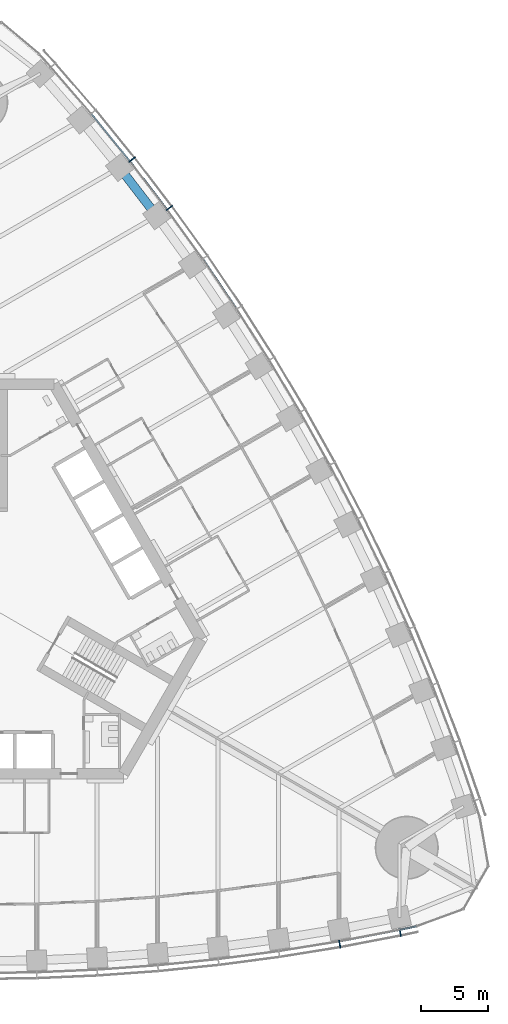
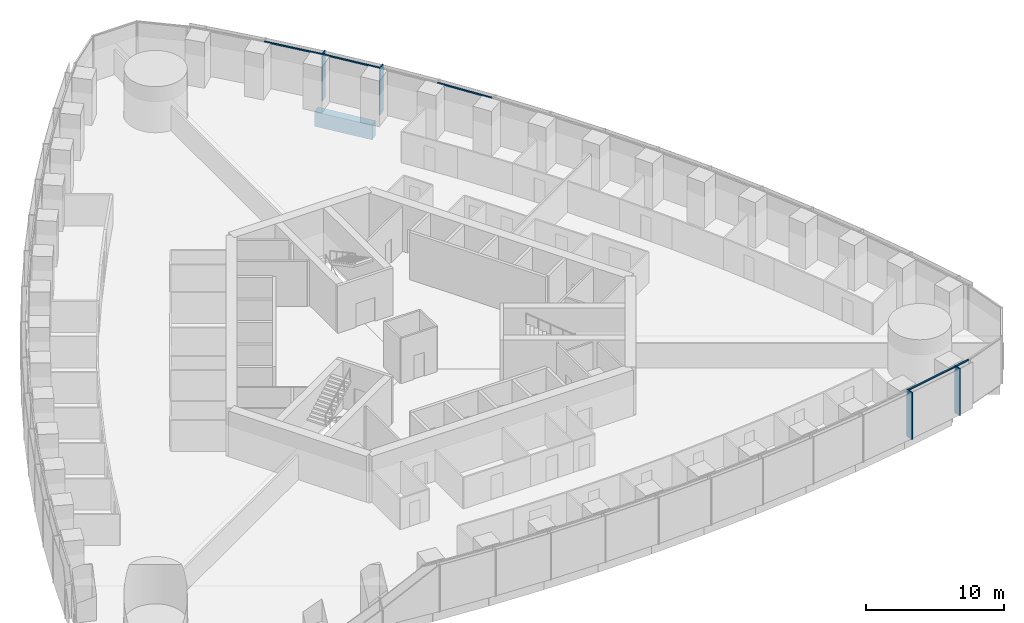
# One storey, part 5 of 19: 9 members, 1 beam, 2 elements without a shape of their own.
"""IFC4 building model written with IfcOpenShell, lengths in metres."""

from ifc_helpers import new_model, si_unit, direction, frame, origin, origin_2d, place, context, subcontext, project, spatial, rectangle, extrude, material, material_profile, profile_set, type_object, element, aggregate, save


model = new_model("IFC4")

# Units and contexts
model_context = context("Model", 3, precision=1e-05, world=origin(), true_north=direction((0.0, 1.0)))
body_context = subcontext(model_context, "Body", "Model", "MODEL_VIEW")
ifc_project = project(units=[si_unit("LENGTHUNIT", "METRE"), si_unit("AREAUNIT", "SQUARE_METRE"), si_unit("VOLUMEUNIT", "CUBIC_METRE"), si_unit("PLANEANGLEUNIT", "RADIAN"), si_unit("MASSUNIT", "GRAM", prefix="KILO")], contexts=[model_context])

# Site, building, storey
site_placement = place(None, origin())
site = spatial("IfcSite", under=ifc_project, at=site_placement, CompositionType="ELEMENT")
building_placement = place(site_placement, origin())
building = spatial("IfcBuilding", under=site, at=building_placement, Name="Trefoil Bronze Tower", CompositionType="ELEMENT")
storey_placement = place(building_placement, frame((0.0, 0.0, 20.699951171875)))
storey = spatial("IfcBuildingStorey", under=building, at=storey_placement, Name="L04", CompositionType="ELEMENT", Elevation=20.699951171875)

# Curtain wall, members
ifc_material_1 = material(Name="Tinted solar-control glass", Category="glass")
curtain_wall_type = type_object("IfcCurtainWallType", Name="Bronze office curtain wall", PredefinedType="USERDEFINED", material=ifc_material_1)
curtain_wall_1_placement = place(storey_placement, origin())
curtain_wall_1 = element("IfcCurtainWall", 1, at=curtain_wall_1_placement, inside=storey, type_object=curtain_wall_type, Name="CW-A L04 F1", ObjectType="CURTAIN WALL", PredefinedType="USERDEFINED")
ifc_material_2 = material(Name="Bronze-finish aluminium", Category="aluminium")
ifc_material_profile_1 = material_profile(ifc_material_2, rectangle(XDim=0.60009765625, YDim=0.080078125, at=origin_2d()), Name="CW-A mullion")
ifc_profile_set_1 = profile_set([ifc_material_profile_1], Name="Bronze-finish aluminium")
member_type_1 = type_object("IfcMemberType", Name="Bronze office curtain wall mullion", PredefinedType="MULLION", material=ifc_profile_set_1)
member_1_placement = place(storey_placement, frame((27.05224609375, -25.67578125, 0.0), z_axis=(0.0, 0.0, 1.0), x_axis=(-0.174131146426, 0.984722470468, 0.0)))
member_1 = element("IfcMember", 2, at=member_1_placement, type_object=member_type_1, Name="CW-A L04 F1 mullion 15", PredefinedType="MULLION", context=body_context, shape_type="SweptSolid", body=[
    extrude(rectangle(XDim=0.60009765625, YDim=0.080078125, at=origin_2d()), origin(), (0.0, 0.0, 1.0), 4.179931640625),
])
member_2_placement = place(storey_placement, frame((31.559326171875, -24.81005859375, 0.0), z_axis=(0.0, 0.0, 1.0), x_axis=(-0.197910006829, 0.98022019424, 0.0)))
member_2 = element("IfcMember", 3, at=member_2_placement, type_object=member_type_1, Name="CW-A L04 F1 mullion 16", PredefinedType="MULLION", context=body_context, shape_type="SweptSolid", body=[
    extrude(rectangle(XDim=0.60009765625, YDim=0.080078125, at=origin_2d()), origin(), (0.0, 0.0, 1.0), 4.179931640625),
])

curtain_wall_2_placement = place(storey_placement, origin())
curtain_wall_2 = element("IfcCurtainWall", 4, at=curtain_wall_2_placement, inside=storey, type_object=curtain_wall_type, Name="CW-A L04 F2", ObjectType="CURTAIN WALL", PredefinedType="USERDEFINED")
member_3_placement = place(storey_placement, frame((14.364013671875, 29.117919921875, 0.0), z_axis=(0.0, 0.0, 1.0), x_axis=(-0.802126748469, -0.59715381552, 0.0)))
member_3 = element("IfcMember", 5, at=member_3_placement, type_object=member_type_1, Name="CW-A L04 F2 mullion 13", PredefinedType="MULLION", context=body_context, shape_type="SweptSolid", body=[
    extrude(rectangle(XDim=0.60009765625, YDim=0.080078125, at=origin_2d()), origin(), (0.0, 0.0, 1.0), 4.179931640625),
])
member_4_placement = place(storey_placement, frame((11.595458984375, 32.7255859375, 0.0), z_axis=(0.0, 0.0, 1.0), x_axis=(-0.784304615744, -0.620375910011, 0.0)))
member_4 = element("IfcMember", 6, at=member_4_placement, type_object=member_type_1, Name="CW-A L04 F2 mullion 14", PredefinedType="MULLION", context=body_context, shape_type="SweptSolid", body=[
    extrude(rectangle(XDim=0.60009765625, YDim=0.080078125, at=origin_2d()), origin(), (0.0, 0.0, 1.0), 4.179931640625),
])

# Member
ifc_material_3 = material(Name="Bronze-finish aluminium", Category="aluminium")
ifc_material_profile_2 = material_profile(ifc_material_3, rectangle(XDim=0.1201171875, YDim=0.10009765625, at=origin_2d()), Name="CW-A transom")
ifc_profile_set_2 = profile_set([ifc_material_profile_2], Name="Bronze-finish aluminium")
member_type_2 = type_object("IfcMemberType", Name="Bronze office curtain wall transom", PredefinedType="USERDEFINED", material=ifc_profile_set_2)
member_5_placement = place(storey_placement, frame((27.05810546875, -25.470947265625, 4.130126953125), z_axis=(0.982053603997, 0.188602011855, 0.0), x_axis=(-0.188602011855, 0.982053603997, 0.0)))
member_5 = element("IfcMember", 7, at=member_5_placement, type_object=member_type_2, Name="CW-A L04 F1 transom 15", ObjectType="TRANSOM", PredefinedType="USERDEFINED", context=body_context, shape_type="SweptSolid", body=[
    extrude(rectangle(XDim=0.1201171875, YDim=0.10009765625, at=origin_2d()), origin(), (0.0, 0.0, 1.0), 4.502197265625),
])

member_6_placement = place(storey_placement, frame((31.559814453125, -24.605712890625, 4.130126953125), z_axis=(0.978266371807, 0.207352129942, 0.0), x_axis=(-0.207352129942, 0.978266371807, 0.0)))
member_6 = element("IfcMember", 8, at=member_6_placement, type_object=member_type_2, Name="CW-A L04 F1 transom 16", ObjectType="TRANSOM", PredefinedType="USERDEFINED", context=body_context, shape_type="SweptSolid", body=[
    extrude(rectangle(XDim=0.1201171875, YDim=0.10009765625, at=origin_2d()), origin(), (0.0, 0.0, 1.0), 1.21044921875),
])

aggregate(curtain_wall_1, [member_1, member_2, member_5, member_6])

member_7_placement = place(storey_placement, frame((19.364990234375, 21.627197265625, 4.130126953125), z_axis=(-0.561508153923, 0.827471203775, 0.0), x_axis=(-0.827471203775, -0.561508153923, 0.0)))
member_7 = element("IfcMember", 9, at=member_7_placement, type_object=member_type_2, Name="CW-A L04 F2 transom 11", ObjectType="TRANSOM", PredefinedType="USERDEFINED", context=body_context, shape_type="SweptSolid", body=[
    extrude(rectangle(XDim=0.1201171875, YDim=0.10009765625, at=origin_2d()), origin(), (0.0, 0.0, 1.0), 4.431884765625),
])

member_8_placement = place(storey_placement, frame((14.178466796875, 29.031494140625, 4.130126953125), z_axis=(-0.608829203216, 0.793301330713, 0.0), x_axis=(-0.793301330713, -0.608829203216, 0.0)))
member_8 = element("IfcMember", 10, at=member_8_placement, type_object=member_type_2, Name="CW-A L04 F2 transom 13", ObjectType="TRANSOM", PredefinedType="USERDEFINED", context=body_context, shape_type="SweptSolid", body=[
    extrude(rectangle(XDim=0.1201171875, YDim=0.10009765625, at=origin_2d()), origin(), (0.0, 0.0, 1.0), 4.458740234375),
])

member_9_placement = place(storey_placement, frame((11.412353515625, 32.6337890625, 4.130126953125), z_axis=(-0.631835540201, 0.775102477185, 0.0), x_axis=(-0.775102477185, -0.631835540201, 0.0)))
member_9 = element("IfcMember", 11, at=member_9_placement, type_object=member_type_2, Name="CW-A L04 F2 transom 14", ObjectType="TRANSOM", PredefinedType="USERDEFINED", context=body_context, shape_type="SweptSolid", body=[
    extrude(rectangle(XDim=0.1201171875, YDim=0.10009765625, at=origin_2d()), origin(), (0.0, 0.0, 1.0), 4.478271484375),
])

aggregate(curtain_wall_2, [member_3, member_4, member_7, member_8, member_9])

# Beam
ifc_material_4 = material(Name="Concrete B80", Category="concrete")
ifc_material_profile_3 = material_profile(ifc_material_4, rectangle(XDim=0.64990234375, YDim=1.300048828125, at=origin_2d()), Name="RC 650x1300")
ifc_profile_set_3 = profile_set([ifc_material_profile_3], Name="Concrete B80")
beam_type = type_object("IfcBeamType", Name="Spandrel beam RC 650x1300", PredefinedType="SPANDREL", material=ifc_profile_set_3)
beam_placement = place(storey_placement, frame((13.42578125, 28.5361328125, -0.849853515625), z_axis=(-0.609338992146, 0.792909826305, 0.0), x_axis=(-0.792909826305, -0.609338992146, 0.0)))
element("IfcBeam", 12, at=beam_placement, inside=storey, type_object=beam_type, Name="Spandrel F2.13 L04", PredefinedType="SPANDREL", context=body_context, shape_type="SweptSolid", body=[
    extrude(rectangle(XDim=0.64990234375, YDim=1.300048828125, at=origin_2d()), origin(), (0.0, 0.0, 1.0), 4.5390625),
])

save(model, "model.ifc")
